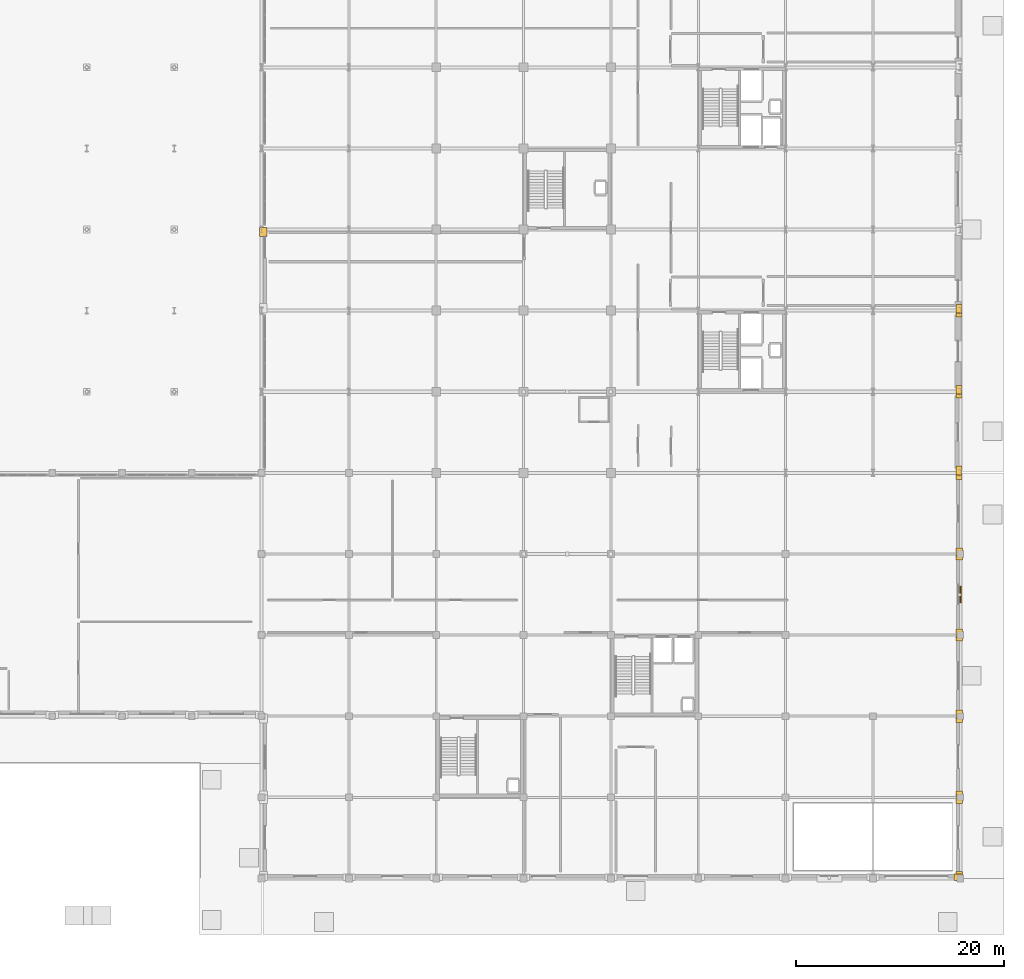
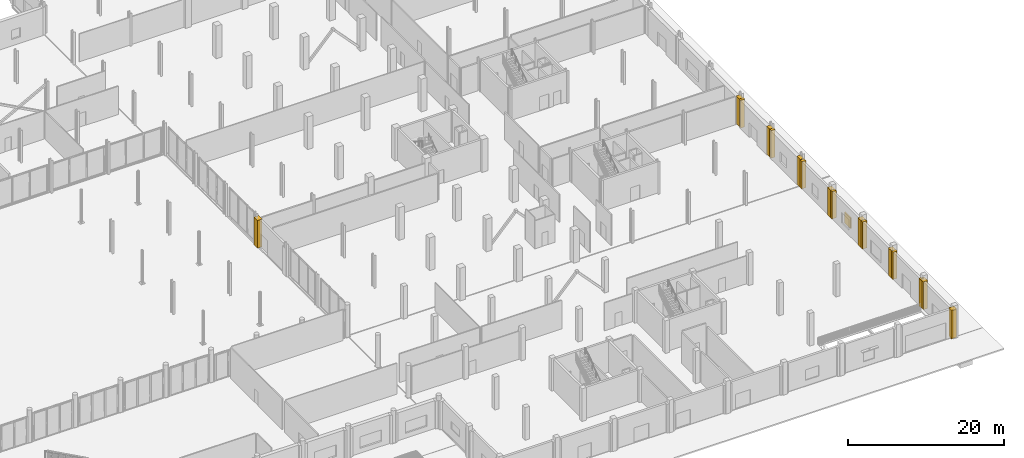
# One storey, part 78 of 80: 17 coverings, 1 shading device.
"""IFC4 building model written with IfcOpenShell, lengths in metres."""

from ifc_helpers import new_model, si_unit, direction, frame, origin, origin_2d, place, context, subcontext, project, spatial, polyline, rectangle, outline, extrude, material, layer, layer_set, type_object, element, save


model = new_model("IFC4")

# Units and contexts
model_context = context("Model", 3, precision=1e-05, world=origin(), true_north=direction((0.0, 1.0)))
body_context = subcontext(model_context, "Body", "Model", "MODEL_VIEW")
ifc_project = project(units=[si_unit("LENGTHUNIT", "METRE"), si_unit("AREAUNIT", "SQUARE_METRE"), si_unit("VOLUMEUNIT", "CUBIC_METRE"), si_unit("PLANEANGLEUNIT", "RADIAN"), si_unit("MASSUNIT", "GRAM", prefix="KILO")], contexts=[model_context])

# Site, building, storey
site_placement = place(None, origin())
site = spatial("IfcSite", under=ifc_project, at=site_placement, CompositionType="ELEMENT")
building_placement = place(site_placement, origin())
building = spatial("IfcBuilding", under=site, at=building_placement, Name="Nabrawat Pavilion Hospital", CompositionType="ELEMENT")
storey_placement = place(building_placement, origin())
storey = spatial("IfcBuildingStorey", under=building, at=storey_placement, Name="L00", CompositionType="ELEMENT", Elevation=0.0)

# Coverings
ifc_material = material(Name="Precast concrete C40/50", Category="concrete")
ifc_layer_1 = layer(ifc_material, 0.360107421875, Name="Precast concrete C40/50")
ifc_layer_set_1 = layer_set([ifc_layer_1], Name="Precast concrete C40/50")
covering_type = type_object("IfcCoveringType", Name="Architectural Precast Column-Jamb Closure Reveal", PredefinedType="CLADDING", material=ifc_layer_set_1)
covering_1_placement = place(storey_placement, origin())
element("IfcCovering", 1, at=covering_1_placement, inside=storey, type_object=covering_type, Name="L00 Precast Facade Column-Jamb Weatherseal Closure 0118", PredefinedType="CLADDING", context=body_context, shape_type="SweptSolid", body=[
    extrude(outline(polyline([(193.4111328125, -0.211181640625), (193.4111328125, 0.431396484375), (192.61376953125, 0.431396484375), (192.61376953125, -0.211181640625), (193.4111328125, -0.211181640625)])), origin(), (0.0, 0.0, 1.0), 4.4599609375),
])
covering_2_placement = place(storey_placement, origin())
element("IfcCovering", 2, at=covering_2_placement, inside=storey, type_object=covering_type, Name="L00 Precast Facade Column-Jamb Weatherseal Closure 0120", PredefinedType="CLADDING", context=body_context, shape_type="SweptSolid", body=[
    extrude(outline(polyline([(126.52001953125, 61.723876953125), (126.52001953125, 62.611083984375), (125.820068359375, 62.611083984375), (125.820068359375, 61.723876953125), (126.52001953125, 61.723876953125)])), origin(), (0.0, 0.0, 1.0), 4.330078125),
])
covering_3_placement = place(storey_placement, origin())
element("IfcCovering", 3, at=covering_3_placement, inside=storey, type_object=covering_type, Name="L00 Precast Facade Column-Jamb Weatherseal Closure 0139", PredefinedType="CLADDING", context=body_context, shape_type="SweptSolid", body=[
    extrude(outline(polyline([(193.4111328125, -0.211181640625), (193.4111328125, 0.651123046875), (192.768798828125, 0.651123046875), (192.768798828125, -0.211181640625), (193.4111328125, -0.211181640625)])), origin(), (0.0, 0.0, 1.0), 4.35009765625),
])
covering_4_placement = place(storey_placement, origin())
element("IfcCovering", 4, at=covering_4_placement, inside=storey, type_object=covering_type, Name="L00 Precast Facade Column-Jamb Weatherseal Closure 0140", PredefinedType="CLADDING", context=body_context, shape_type="SweptSolid", body=[
    extrude(outline(polyline([(193.4111328125, 7.2138671875), (193.4111328125, 8.01123046875), (192.768798828125, 8.01123046875), (192.768798828125, 7.2138671875), (193.4111328125, 7.2138671875)])), origin(), (0.0, 0.0, 1.0), 4.35009765625),
])
covering_5_placement = place(storey_placement, origin())
element("IfcCovering", 5, at=covering_5_placement, inside=storey, type_object=covering_type, Name="L00 Precast Facade Column-Jamb Weatherseal Closure 0141", PredefinedType="CLADDING", context=body_context, shape_type="SweptSolid", body=[
    extrude(outline(polyline([(193.4111328125, 7.5888671875), (193.4111328125, 8.38623046875), (192.768798828125, 8.38623046875), (192.768798828125, 7.5888671875), (193.4111328125, 7.5888671875)])), origin(), (0.0, 0.0, 1.0), 4.25),
])
covering_6_placement = place(storey_placement, origin())
element("IfcCovering", 6, at=covering_6_placement, inside=storey, type_object=covering_type, Name="L00 Precast Facade Column-Jamb Weatherseal Closure 0142", PredefinedType="CLADDING", context=body_context, shape_type="SweptSolid", body=[
    extrude(outline(polyline([(193.4111328125, 15.013671875), (193.4111328125, 15.811279296875), (192.768798828125, 15.811279296875), (192.768798828125, 15.013671875), (193.4111328125, 15.013671875)])), origin(), (0.0, 0.0, 1.0), 4.25),
])
covering_7_placement = place(storey_placement, origin())
element("IfcCovering", 7, at=covering_7_placement, inside=storey, type_object=covering_type, Name="L00 Precast Facade Column-Jamb Weatherseal Closure 0143", PredefinedType="CLADDING", context=body_context, shape_type="SweptSolid", body=[
    extrude(outline(polyline([(193.4111328125, 15.388671875), (193.4111328125, 16.186279296875), (192.768798828125, 16.186279296875), (192.768798828125, 15.388671875), (193.4111328125, 15.388671875)])), origin(), (0.0, 0.0, 1.0), 4.25),
])
covering_8_placement = place(storey_placement, origin())
element("IfcCovering", 8, at=covering_8_placement, inside=storey, type_object=covering_type, Name="L00 Precast Facade Column-Jamb Weatherseal Closure 0144", PredefinedType="CLADDING", context=body_context, shape_type="SweptSolid", body=[
    extrude(outline(polyline([(193.4111328125, 22.813720703125), (193.4111328125, 23.611083984375), (192.768798828125, 23.611083984375), (192.768798828125, 22.813720703125), (193.4111328125, 22.813720703125)])), origin(), (0.0, 0.0, 1.0), 4.25),
])
covering_9_placement = place(storey_placement, origin())
element("IfcCovering", 9, at=covering_9_placement, inside=storey, type_object=covering_type, Name="L00 Precast Facade Column-Jamb Weatherseal Closure 0145", PredefinedType="CLADDING", context=body_context, shape_type="SweptSolid", body=[
    extrude(outline(polyline([(193.4111328125, 23.188720703125), (193.4111328125, 23.986083984375), (192.768798828125, 23.986083984375), (192.768798828125, 23.188720703125), (193.4111328125, 23.188720703125)])), origin(), (0.0, 0.0, 1.0), 4.25),
])
covering_10_placement = place(storey_placement, origin())
element("IfcCovering", 10, at=covering_10_placement, inside=storey, type_object=covering_type, Name="L00 Precast Facade Column-Jamb Weatherseal Closure 0146", PredefinedType="CLADDING", context=body_context, shape_type="SweptSolid", body=[
    extrude(outline(polyline([(193.4111328125, 30.61376953125), (193.4111328125, 31.4111328125), (192.768798828125, 31.4111328125), (192.768798828125, 30.61376953125), (193.4111328125, 30.61376953125)])), origin(), (0.0, 0.0, 1.0), 4.25),
])
covering_11_placement = place(storey_placement, origin())
element("IfcCovering", 11, at=covering_11_placement, inside=storey, type_object=covering_type, Name="L00 Precast Facade Column-Jamb Weatherseal Closure 0147", PredefinedType="CLADDING", context=body_context, shape_type="SweptSolid", body=[
    extrude(outline(polyline([(193.4111328125, 30.98876953125), (193.4111328125, 31.7861328125), (192.768798828125, 31.7861328125), (192.768798828125, 30.98876953125), (193.4111328125, 30.98876953125)])), origin(), (0.0, 0.0, 1.0), 4.25),
])
covering_12_placement = place(storey_placement, origin())
element("IfcCovering", 12, at=covering_12_placement, inside=storey, type_object=covering_type, Name="L00 Precast Facade Column-Jamb Weatherseal Closure 0148", PredefinedType="CLADDING", context=body_context, shape_type="SweptSolid", body=[
    extrude(outline(polyline([(193.3798828125, 38.348876953125), (193.3798828125, 39.211181640625), (192.800048828125, 39.211181640625), (192.800048828125, 38.348876953125), (193.3798828125, 38.348876953125)])), origin(), (0.0, 0.0, 1.0), 4.25),
])
covering_13_placement = place(storey_placement, origin())
element("IfcCovering", 13, at=covering_13_placement, inside=storey, type_object=covering_type, Name="L00 Precast Facade Column-Jamb Weatherseal Closure 0149", PredefinedType="CLADDING", context=body_context, shape_type="SweptSolid", body=[
    extrude(outline(polyline([(193.3798828125, 38.788818359375), (193.3798828125, 39.651123046875), (192.800048828125, 39.651123046875), (192.800048828125, 38.788818359375), (193.3798828125, 38.788818359375)])), origin(), (0.0, 0.0, 1.0), 4.330078125),
])
covering_14_placement = place(storey_placement, origin())
element("IfcCovering", 14, at=covering_14_placement, inside=storey, type_object=covering_type, Name="L00 Precast Facade Column-Jamb Weatherseal Closure 0150", PredefinedType="CLADDING", context=body_context, shape_type="SweptSolid", body=[
    extrude(outline(polyline([(193.3798828125, 46.213623046875), (193.3798828125, 47.01123046875), (192.800048828125, 47.01123046875), (192.800048828125, 46.213623046875), (193.3798828125, 46.213623046875)])), origin(), (0.0, 0.0, 1.0), 4.330078125),
])
covering_15_placement = place(storey_placement, origin())
element("IfcCovering", 15, at=covering_15_placement, inside=storey, type_object=covering_type, Name="L00 Precast Facade Column-Jamb Weatherseal Closure 0151", PredefinedType="CLADDING", context=body_context, shape_type="SweptSolid", body=[
    extrude(outline(polyline([(193.3798828125, 46.588623046875), (193.3798828125, 47.38623046875), (192.800048828125, 47.38623046875), (192.800048828125, 46.588623046875), (193.3798828125, 46.588623046875)])), origin(), (0.0, 0.0, 1.0), 4.330078125),
])
covering_16_placement = place(storey_placement, origin())
element("IfcCovering", 16, at=covering_16_placement, inside=storey, type_object=covering_type, Name="L00 Precast Facade Column-Jamb Weatherseal Closure 0152", PredefinedType="CLADDING", context=body_context, shape_type="SweptSolid", body=[
    extrude(outline(polyline([(193.3798828125, 54.013916015625), (193.3798828125, 54.811279296875), (192.800048828125, 54.811279296875), (192.800048828125, 54.013916015625), (193.3798828125, 54.013916015625)])), origin(), (0.0, 0.0, 1.0), 4.330078125),
])
covering_17_placement = place(storey_placement, origin())
element("IfcCovering", 17, at=covering_17_placement, inside=storey, type_object=covering_type, Name="L00 Precast Facade Column-Jamb Weatherseal Closure 0153", PredefinedType="CLADDING", context=body_context, shape_type="SweptSolid", body=[
    extrude(outline(polyline([(193.3798828125, 54.388916015625), (193.3798828125, 55.186279296875), (192.800048828125, 55.186279296875), (192.800048828125, 54.388916015625), (193.3798828125, 54.388916015625)])), origin(), (0.0, 0.0, 1.0), 4.330078125),
])

# Shading device
ifc_layer_2 = layer(ifc_material, 2.39990234375, Name="Precast concrete C40/50")
ifc_layer_set_2 = layer_set([ifc_layer_2], Name="Precast concrete C40/50")
shading_device_type = type_object("IfcShadingDeviceType", Name="Perforated GFRC Mashrabiya Solar Fin", PredefinedType="JALOUSIE", material=ifc_layer_set_2)
shading_device_placement = place(storey_placement, frame((193.2099609375, 27.300048828125, 0.85009765625), z_axis=(0.0, 0.0, 1.0), x_axis=(0.0, 1.0, 0.0)))
element("IfcShadingDevice", 18, at=shading_device_placement, inside=storey, type_object=shading_device_type, Name="L00 Perforated GFRC Mashrabiya Screen 006", PredefinedType="JALOUSIE", context=body_context, shape_type="SweptSolid", body=[
    extrude(rectangle(XDim=1.60009765625, YDim=0.139892578125, at=origin_2d()), origin(), (0.0, 0.0, 1.0), 1.64990234375),
])

save(model, "model.ifc")
